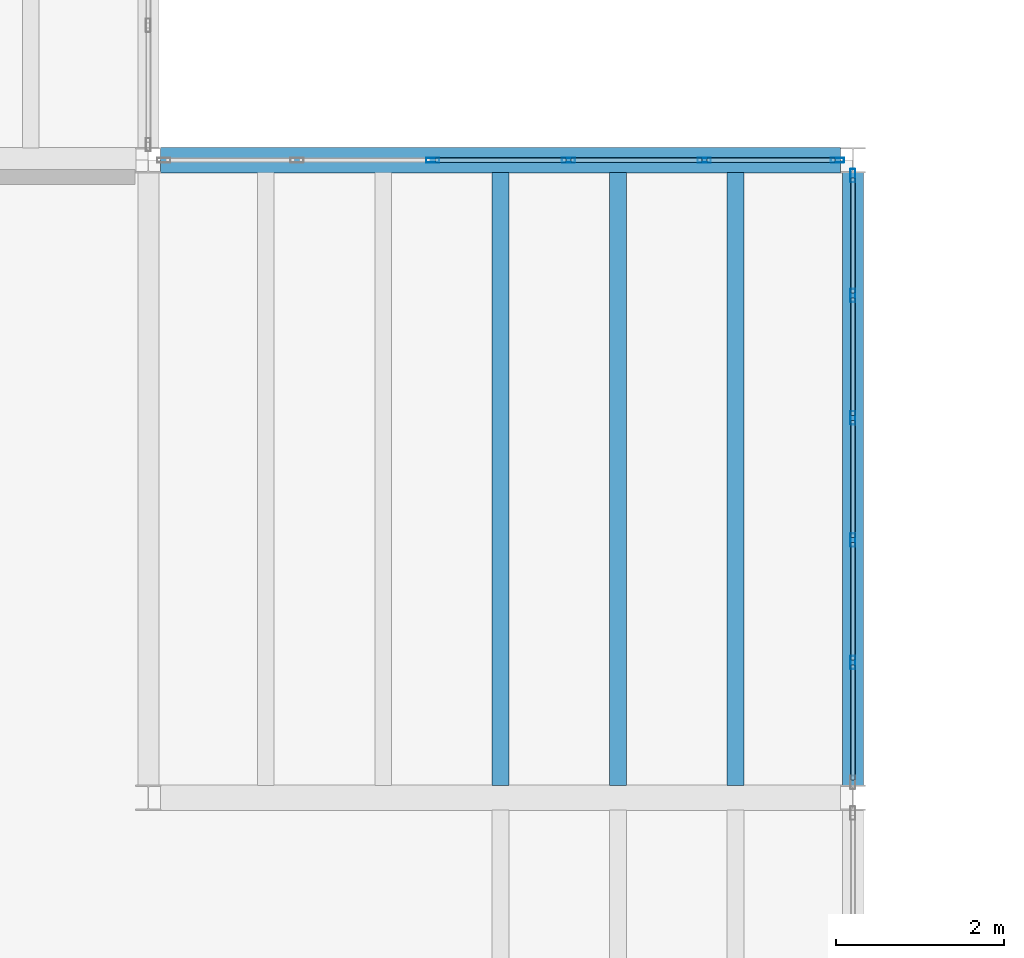
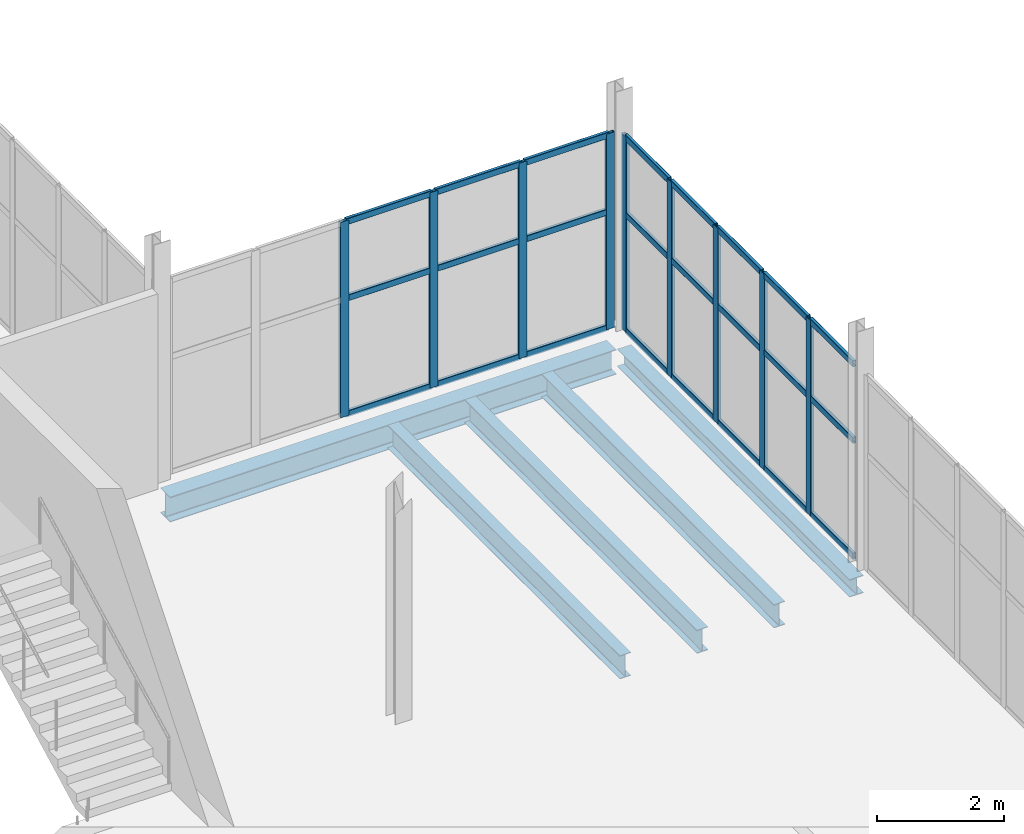
# One storey, part 29 of 172: 33 members, 5 beams, 2 elements without a shape of their own.
"""IFC4 building model written with IfcOpenShell, lengths in metres."""

from ifc_helpers import new_model, si_unit, direction, frame, origin, origin_2d, place, context, subcontext, project, spatial, hollow_rectangle, i_section, extrude, material, material_profile, profile_set, type_object, element, aggregate, save


model = new_model("IFC4")

# Units and contexts
model_context = context("Model", 3, precision=1e-05, world=origin(), true_north=direction((0.0, 1.0)))
body_context = subcontext(model_context, "Body", "Model", "MODEL_VIEW")
ifc_project = project(units=[si_unit("LENGTHUNIT", "METRE"), si_unit("AREAUNIT", "SQUARE_METRE"), si_unit("VOLUMEUNIT", "CUBIC_METRE"), si_unit("PLANEANGLEUNIT", "RADIAN"), si_unit("MASSUNIT", "GRAM", prefix="KILO")], contexts=[model_context])

# Site, building, storey
site_placement = place(None, origin())
site = spatial("IfcSite", under=ifc_project, at=site_placement, CompositionType="ELEMENT")
building_placement = place(site_placement, origin())
building = spatial("IfcBuilding", under=site, at=building_placement, Name="Shengluoqiao Park Theatre", CompositionType="ELEMENT")
storey_placement = place(building_placement, frame((0.0, 0.0, 5.39990234375)))
storey = spatial("IfcBuildingStorey", under=building, at=storey_placement, Name="L01", CompositionType="ELEMENT", Elevation=5.39990234375)

# Curtain wall, members
ifc_material_1 = material(Name="Aluminium 6063-T6", Category="aluminium")
curtain_wall_type = type_object("IfcCurtainWallType", Name="ENV-CW-COURT", PredefinedType="NOTDEFINED", material=ifc_material_1)
curtain_wall_1_placement = place(storey_placement, origin())
curtain_wall_1 = element("IfcCurtainWall", 1, at=curtain_wall_1_placement, inside=storey, type_object=curtain_wall_type, Name="L01 Curtain Wall CWX-L01-0157", PredefinedType="NOTDEFINED")
ifc_material_profile_1 = material_profile(ifc_material_1, hollow_rectangle(XDim=0.06005859375, YDim=0.159912109375, WallThickness=0.00390625, InnerFilletRadius=0.00390625, OuterFilletRadius=0.008056640625, at=origin_2d()), Name="ALU MULLION 160x60x4")
ifc_profile_set_1 = profile_set([ifc_material_profile_1], Name="Aluminium 6063-T6")
member_type_1 = type_object("IfcMemberType", Name="ENV-MUL-160", PredefinedType="MULLION", material=ifc_profile_set_1)
member_1_placement = place(storey_placement, frame((44.39990234375, 16.8125, 0.0), z_axis=(0.0, 0.0, 1.0), x_axis=(-1.0, 0.0, 0.0)))
member_1 = element("IfcMember", 2, at=member_1_placement, type_object=member_type_1, Name="CW-05 mullion 2", PredefinedType="MULLION", context=body_context, shape_type="SweptSolid", body=[
    extrude(hollow_rectangle(XDim=0.06005859375, YDim=0.159912109375, WallThickness=0.00390625, InnerFilletRadius=0.00390625, OuterFilletRadius=0.008056640625, at=origin_2d()), origin(), (0.0, 0.0, 1.0), 3.756103515625),
])
member_2_placement = place(storey_placement, frame((44.39990234375, 18.270751953125, 0.0), z_axis=(0.0, 0.0, 1.0), x_axis=(-1.0, 0.0, 0.0)))
member_2 = element("IfcMember", 3, at=member_2_placement, type_object=member_type_1, Name="CW-05 mullion 3", PredefinedType="MULLION", context=body_context, shape_type="SweptSolid", body=[
    extrude(hollow_rectangle(XDim=0.06005859375, YDim=0.159912109375, WallThickness=0.00390625, InnerFilletRadius=0.00390625, OuterFilletRadius=0.008056640625, at=origin_2d()), origin(), (0.0, 0.0, 1.0), 3.756103515625),
])
member_3_placement = place(storey_placement, frame((44.39990234375, 19.729248046875, 0.0), z_axis=(0.0, 0.0, 1.0), x_axis=(-1.0, 0.0, 0.0)))
member_3 = element("IfcMember", 4, at=member_3_placement, type_object=member_type_1, Name="CW-05 mullion 4", PredefinedType="MULLION", context=body_context, shape_type="SweptSolid", body=[
    extrude(hollow_rectangle(XDim=0.06005859375, YDim=0.159912109375, WallThickness=0.00390625, InnerFilletRadius=0.00390625, OuterFilletRadius=0.008056640625, at=origin_2d()), origin(), (0.0, 0.0, 1.0), 3.756103515625),
])
member_4_placement = place(storey_placement, frame((44.39990234375, 21.1875, 0.0), z_axis=(0.0, 0.0, 1.0), x_axis=(-1.0, 0.0, 0.0)))
member_4 = element("IfcMember", 5, at=member_4_placement, type_object=member_type_1, Name="CW-05 mullion 5", PredefinedType="MULLION", context=body_context, shape_type="SweptSolid", body=[
    extrude(hollow_rectangle(XDim=0.06005859375, YDim=0.159912109375, WallThickness=0.00390625, InnerFilletRadius=0.00390625, OuterFilletRadius=0.008056640625, at=origin_2d()), origin(), (0.0, 0.0, 1.0), 3.756103515625),
])
member_5_placement = place(storey_placement, frame((44.39990234375, 22.615966796875, 0.0), z_axis=(0.0, 0.0, 1.0), x_axis=(-1.0, 0.0, 0.0)))
member_5 = element("IfcMember", 6, at=member_5_placement, type_object=member_type_1, Name="CW-05 mullion 6", PredefinedType="MULLION", context=body_context, shape_type="SweptSolid", body=[
    extrude(hollow_rectangle(XDim=0.06005859375, YDim=0.159912109375, WallThickness=0.00390625, InnerFilletRadius=0.00390625, OuterFilletRadius=0.008056640625, at=origin_2d()), origin(), (0.0, 0.0, 1.0), 3.756103515625),
])

curtain_wall_2_placement = place(storey_placement, origin())
curtain_wall_2 = element("IfcCurtainWall", 7, at=curtain_wall_2_placement, inside=storey, type_object=curtain_wall_type, Name="L01 Curtain Wall CWX-L01-0158", PredefinedType="NOTDEFINED")
member_6_placement = place(storey_placement, frame((39.390869140625, 22.800048828125, 0.0), z_axis=(0.0, 0.0, 1.0), x_axis=(0.0, 1.0, 0.0)))
member_6 = element("IfcMember", 8, at=member_6_placement, type_object=member_type_1, Name="CW-05 mullion 3", PredefinedType="MULLION", context=body_context, shape_type="SweptSolid", body=[
    extrude(hollow_rectangle(XDim=0.06005859375, YDim=0.159912109375, WallThickness=0.00390625, InnerFilletRadius=0.00390625, OuterFilletRadius=0.008056640625, at=origin_2d()), origin(), (0.0, 0.0, 1.0), 3.756103515625),
])
member_7_placement = place(storey_placement, frame((41.00927734375, 22.800048828125, 0.0), z_axis=(0.0, 0.0, 1.0), x_axis=(0.0, 1.0, 0.0)))
member_7 = element("IfcMember", 9, at=member_7_placement, type_object=member_type_1, Name="CW-05 mullion 4", PredefinedType="MULLION", context=body_context, shape_type="SweptSolid", body=[
    extrude(hollow_rectangle(XDim=0.06005859375, YDim=0.159912109375, WallThickness=0.00390625, InnerFilletRadius=0.00390625, OuterFilletRadius=0.008056640625, at=origin_2d()), origin(), (0.0, 0.0, 1.0), 3.756103515625),
])
member_8_placement = place(storey_placement, frame((42.627685546875, 22.800048828125, 0.0), z_axis=(0.0, 0.0, 1.0), x_axis=(0.0, 1.0, 0.0)))
member_8 = element("IfcMember", 10, at=member_8_placement, type_object=member_type_1, Name="CW-05 mullion 5", PredefinedType="MULLION", context=body_context, shape_type="SweptSolid", body=[
    extrude(hollow_rectangle(XDim=0.06005859375, YDim=0.159912109375, WallThickness=0.00390625, InnerFilletRadius=0.00390625, OuterFilletRadius=0.008056640625, at=origin_2d()), origin(), (0.0, 0.0, 1.0), 3.756103515625),
])
member_9_placement = place(storey_placement, frame((44.216064453125, 22.800048828125, 0.0), z_axis=(0.0, 0.0, 1.0), x_axis=(0.0, 1.0, 0.0)))
member_9 = element("IfcMember", 11, at=member_9_placement, type_object=member_type_1, Name="CW-05 mullion 6", PredefinedType="MULLION", context=body_context, shape_type="SweptSolid", body=[
    extrude(hollow_rectangle(XDim=0.06005859375, YDim=0.159912109375, WallThickness=0.00390625, InnerFilletRadius=0.00390625, OuterFilletRadius=0.008056640625, at=origin_2d()), origin(), (0.0, 0.0, 1.0), 3.756103515625),
])

# Member
ifc_material_profile_2 = material_profile(ifc_material_1, hollow_rectangle(XDim=0.06005859375, YDim=0.1201171875, WallThickness=0.00390625, InnerFilletRadius=0.00390625, OuterFilletRadius=0.008056640625, at=origin_2d()), Name="ALU TRANSOM 120x60x4")
ifc_profile_set_2 = profile_set([ifc_material_profile_2], Name="Aluminium 6063-T6")
member_type_2 = type_object("IfcMemberType", Name="ENV-TRN-120", PredefinedType="USERDEFINED", material=ifc_profile_set_2)
member_10_placement = place(storey_placement, frame((44.39990234375, 15.4140625, 0.030029296875), z_axis=(0.0, 1.0, 0.0), x_axis=(-1.0, 0.0, 0.0)))
member_10 = element("IfcMember", 12, at=member_10_placement, type_object=member_type_2, Name="CW-05 transom 1.1", ObjectType="TRANSOM", PredefinedType="USERDEFINED", context=body_context, shape_type="SweptSolid", body=[
    extrude(hollow_rectangle(XDim=0.06005859375, YDim=0.1201171875, WallThickness=0.00390625, InnerFilletRadius=0.00390625, OuterFilletRadius=0.008056640625, at=origin_2d()), origin(), (0.0, 0.0, 1.0), 1.368408203125),
])

member_11_placement = place(storey_placement, frame((44.39990234375, 15.4140625, 2.254150390625), z_axis=(0.0, 1.0, 0.0), x_axis=(-1.0, 0.0, 0.0)))
member_11 = element("IfcMember", 13, at=member_11_placement, type_object=member_type_2, Name="CW-05 transom 1.2", ObjectType="TRANSOM", PredefinedType="USERDEFINED", context=body_context, shape_type="SweptSolid", body=[
    extrude(hollow_rectangle(XDim=0.06005859375, YDim=0.1201171875, WallThickness=0.00390625, InnerFilletRadius=0.00390625, OuterFilletRadius=0.008056640625, at=origin_2d()), origin(), (0.0, 0.0, 1.0), 1.368408203125),
])

member_12_placement = place(storey_placement, frame((44.39990234375, 15.4140625, 3.72607421875), z_axis=(0.0, 1.0, 0.0), x_axis=(-1.0, 0.0, 0.0)))
member_12 = element("IfcMember", 14, at=member_12_placement, type_object=member_type_2, Name="CW-05 transom 1.3", ObjectType="TRANSOM", PredefinedType="USERDEFINED", context=body_context, shape_type="SweptSolid", body=[
    extrude(hollow_rectangle(XDim=0.06005859375, YDim=0.1201171875, WallThickness=0.00390625, InnerFilletRadius=0.00390625, OuterFilletRadius=0.008056640625, at=origin_2d()), origin(), (0.0, 0.0, 1.0), 1.368408203125),
])

member_13_placement = place(storey_placement, frame((44.39990234375, 16.84228515625, 0.030029296875), z_axis=(0.0, 1.0, 0.0), x_axis=(-1.0, 0.0, 0.0)))
member_13 = element("IfcMember", 15, at=member_13_placement, type_object=member_type_2, Name="CW-05 transom 2.1", ObjectType="TRANSOM", PredefinedType="USERDEFINED", context=body_context, shape_type="SweptSolid", body=[
    extrude(hollow_rectangle(XDim=0.06005859375, YDim=0.1201171875, WallThickness=0.00390625, InnerFilletRadius=0.00390625, OuterFilletRadius=0.008056640625, at=origin_2d()), origin(), (0.0, 0.0, 1.0), 1.3984375),
])

member_14_placement = place(storey_placement, frame((44.39990234375, 16.84228515625, 2.254150390625), z_axis=(0.0, 1.0, 0.0), x_axis=(-1.0, 0.0, 0.0)))
member_14 = element("IfcMember", 16, at=member_14_placement, type_object=member_type_2, Name="CW-05 transom 2.2", ObjectType="TRANSOM", PredefinedType="USERDEFINED", context=body_context, shape_type="SweptSolid", body=[
    extrude(hollow_rectangle(XDim=0.06005859375, YDim=0.1201171875, WallThickness=0.00390625, InnerFilletRadius=0.00390625, OuterFilletRadius=0.008056640625, at=origin_2d()), origin(), (0.0, 0.0, 1.0), 1.3984375),
])

member_15_placement = place(storey_placement, frame((44.39990234375, 16.84228515625, 3.72607421875), z_axis=(0.0, 1.0, 0.0), x_axis=(-1.0, 0.0, 0.0)))
member_15 = element("IfcMember", 17, at=member_15_placement, type_object=member_type_2, Name="CW-05 transom 2.3", ObjectType="TRANSOM", PredefinedType="USERDEFINED", context=body_context, shape_type="SweptSolid", body=[
    extrude(hollow_rectangle(XDim=0.06005859375, YDim=0.1201171875, WallThickness=0.00390625, InnerFilletRadius=0.00390625, OuterFilletRadius=0.008056640625, at=origin_2d()), origin(), (0.0, 0.0, 1.0), 1.3984375),
])

member_16_placement = place(storey_placement, frame((44.39990234375, 18.30078125, 0.030029296875), z_axis=(0.0, 1.0, 0.0), x_axis=(-1.0, 0.0, 0.0)))
member_16 = element("IfcMember", 18, at=member_16_placement, type_object=member_type_2, Name="CW-05 transom 3.1", ObjectType="TRANSOM", PredefinedType="USERDEFINED", context=body_context, shape_type="SweptSolid", body=[
    extrude(hollow_rectangle(XDim=0.06005859375, YDim=0.1201171875, WallThickness=0.00390625, InnerFilletRadius=0.00390625, OuterFilletRadius=0.008056640625, at=origin_2d()), origin(), (0.0, 0.0, 1.0), 1.3984375),
])

member_17_placement = place(storey_placement, frame((44.39990234375, 18.30078125, 2.254150390625), z_axis=(0.0, 1.0, 0.0), x_axis=(-1.0, 0.0, 0.0)))
member_17 = element("IfcMember", 19, at=member_17_placement, type_object=member_type_2, Name="CW-05 transom 3.2", ObjectType="TRANSOM", PredefinedType="USERDEFINED", context=body_context, shape_type="SweptSolid", body=[
    extrude(hollow_rectangle(XDim=0.06005859375, YDim=0.1201171875, WallThickness=0.00390625, InnerFilletRadius=0.00390625, OuterFilletRadius=0.008056640625, at=origin_2d()), origin(), (0.0, 0.0, 1.0), 1.3984375),
])

member_18_placement = place(storey_placement, frame((44.39990234375, 18.30078125, 3.72607421875), z_axis=(0.0, 1.0, 0.0), x_axis=(-1.0, 0.0, 0.0)))
member_18 = element("IfcMember", 20, at=member_18_placement, type_object=member_type_2, Name="CW-05 transom 3.3", ObjectType="TRANSOM", PredefinedType="USERDEFINED", context=body_context, shape_type="SweptSolid", body=[
    extrude(hollow_rectangle(XDim=0.06005859375, YDim=0.1201171875, WallThickness=0.00390625, InnerFilletRadius=0.00390625, OuterFilletRadius=0.008056640625, at=origin_2d()), origin(), (0.0, 0.0, 1.0), 1.3984375),
])

member_19_placement = place(storey_placement, frame((44.39990234375, 19.75927734375, 0.030029296875), z_axis=(0.0, 1.0, 0.0), x_axis=(-1.0, 0.0, 0.0)))
member_19 = element("IfcMember", 21, at=member_19_placement, type_object=member_type_2, Name="CW-05 transom 4.1", ObjectType="TRANSOM", PredefinedType="USERDEFINED", context=body_context, shape_type="SweptSolid", body=[
    extrude(hollow_rectangle(XDim=0.06005859375, YDim=0.1201171875, WallThickness=0.00390625, InnerFilletRadius=0.00390625, OuterFilletRadius=0.008056640625, at=origin_2d()), origin(), (0.0, 0.0, 1.0), 1.3984375),
])

member_20_placement = place(storey_placement, frame((44.39990234375, 19.75927734375, 2.254150390625), z_axis=(0.0, 1.0, 0.0), x_axis=(-1.0, 0.0, 0.0)))
member_20 = element("IfcMember", 22, at=member_20_placement, type_object=member_type_2, Name="CW-05 transom 4.2", ObjectType="TRANSOM", PredefinedType="USERDEFINED", context=body_context, shape_type="SweptSolid", body=[
    extrude(hollow_rectangle(XDim=0.06005859375, YDim=0.1201171875, WallThickness=0.00390625, InnerFilletRadius=0.00390625, OuterFilletRadius=0.008056640625, at=origin_2d()), origin(), (0.0, 0.0, 1.0), 1.3984375),
])

member_21_placement = place(storey_placement, frame((44.39990234375, 19.75927734375, 3.72607421875), z_axis=(0.0, 1.0, 0.0), x_axis=(-1.0, 0.0, 0.0)))
member_21 = element("IfcMember", 23, at=member_21_placement, type_object=member_type_2, Name="CW-05 transom 4.3", ObjectType="TRANSOM", PredefinedType="USERDEFINED", context=body_context, shape_type="SweptSolid", body=[
    extrude(hollow_rectangle(XDim=0.06005859375, YDim=0.1201171875, WallThickness=0.00390625, InnerFilletRadius=0.00390625, OuterFilletRadius=0.008056640625, at=origin_2d()), origin(), (0.0, 0.0, 1.0), 1.3984375),
])

member_22_placement = place(storey_placement, frame((44.39990234375, 21.217529296875, 0.030029296875), z_axis=(0.0, 1.0, 0.0), x_axis=(-1.0, 0.0, 0.0)))
member_22 = element("IfcMember", 24, at=member_22_placement, type_object=member_type_2, Name="CW-05 transom 5.1", ObjectType="TRANSOM", PredefinedType="USERDEFINED", context=body_context, shape_type="SweptSolid", body=[
    extrude(hollow_rectangle(XDim=0.06005859375, YDim=0.1201171875, WallThickness=0.00390625, InnerFilletRadius=0.00390625, OuterFilletRadius=0.008056640625, at=origin_2d()), origin(), (0.0, 0.0, 1.0), 1.368408203125),
])

member_23_placement = place(storey_placement, frame((44.39990234375, 21.217529296875, 2.254150390625), z_axis=(0.0, 1.0, 0.0), x_axis=(-1.0, 0.0, 0.0)))
member_23 = element("IfcMember", 25, at=member_23_placement, type_object=member_type_2, Name="CW-05 transom 5.2", ObjectType="TRANSOM", PredefinedType="USERDEFINED", context=body_context, shape_type="SweptSolid", body=[
    extrude(hollow_rectangle(XDim=0.06005859375, YDim=0.1201171875, WallThickness=0.00390625, InnerFilletRadius=0.00390625, OuterFilletRadius=0.008056640625, at=origin_2d()), origin(), (0.0, 0.0, 1.0), 1.368408203125),
])

member_24_placement = place(storey_placement, frame((44.39990234375, 21.217529296875, 3.72607421875), z_axis=(0.0, 1.0, 0.0), x_axis=(-1.0, 0.0, 0.0)))
member_24 = element("IfcMember", 26, at=member_24_placement, type_object=member_type_2, Name="CW-05 transom 5.3", ObjectType="TRANSOM", PredefinedType="USERDEFINED", context=body_context, shape_type="SweptSolid", body=[
    extrude(hollow_rectangle(XDim=0.06005859375, YDim=0.1201171875, WallThickness=0.00390625, InnerFilletRadius=0.00390625, OuterFilletRadius=0.008056640625, at=origin_2d()), origin(), (0.0, 0.0, 1.0), 1.368408203125),
])

aggregate(curtain_wall_1, [member_1, member_2, member_3, member_4, member_5, member_10, member_11, member_12, member_13, member_14, member_15, member_16, member_17, member_18, member_19, member_20, member_21, member_22, member_23, member_24])

member_25_placement = place(storey_placement, frame((39.4208984375, 22.800048828125, 0.030029296875), z_axis=(1.0, 0.0, 0.0), x_axis=(0.0, 1.0, 0.0)))
member_25 = element("IfcMember", 27, at=member_25_placement, type_object=member_type_2, Name="CW-05 transom 3.1", ObjectType="TRANSOM", PredefinedType="USERDEFINED", context=body_context, shape_type="SweptSolid", body=[
    extrude(hollow_rectangle(XDim=0.06005859375, YDim=0.1201171875, WallThickness=0.00390625, InnerFilletRadius=0.00390625, OuterFilletRadius=0.008056640625, at=origin_2d()), origin(), (0.0, 0.0, 1.0), 1.558349609375),
])

member_26_placement = place(storey_placement, frame((39.4208984375, 22.800048828125, 2.254150390625), z_axis=(1.0, 0.0, 0.0), x_axis=(0.0, 1.0, 0.0)))
member_26 = element("IfcMember", 28, at=member_26_placement, type_object=member_type_2, Name="CW-05 transom 3.2", ObjectType="TRANSOM", PredefinedType="USERDEFINED", context=body_context, shape_type="SweptSolid", body=[
    extrude(hollow_rectangle(XDim=0.06005859375, YDim=0.1201171875, WallThickness=0.00390625, InnerFilletRadius=0.00390625, OuterFilletRadius=0.008056640625, at=origin_2d()), origin(), (0.0, 0.0, 1.0), 1.558349609375),
])

member_27_placement = place(storey_placement, frame((39.4208984375, 22.800048828125, 3.72607421875), z_axis=(1.0, 0.0, 0.0), x_axis=(0.0, 1.0, 0.0)))
member_27 = element("IfcMember", 29, at=member_27_placement, type_object=member_type_2, Name="CW-05 transom 3.3", ObjectType="TRANSOM", PredefinedType="USERDEFINED", context=body_context, shape_type="SweptSolid", body=[
    extrude(hollow_rectangle(XDim=0.06005859375, YDim=0.1201171875, WallThickness=0.00390625, InnerFilletRadius=0.00390625, OuterFilletRadius=0.008056640625, at=origin_2d()), origin(), (0.0, 0.0, 1.0), 1.558349609375),
])

member_28_placement = place(storey_placement, frame((41.039306640625, 22.800048828125, 0.030029296875), z_axis=(1.0, 0.0, 0.0), x_axis=(0.0, 1.0, 0.0)))
member_28 = element("IfcMember", 30, at=member_28_placement, type_object=member_type_2, Name="CW-05 transom 4.1", ObjectType="TRANSOM", PredefinedType="USERDEFINED", context=body_context, shape_type="SweptSolid", body=[
    extrude(hollow_rectangle(XDim=0.06005859375, YDim=0.1201171875, WallThickness=0.00390625, InnerFilletRadius=0.00390625, OuterFilletRadius=0.008056640625, at=origin_2d()), origin(), (0.0, 0.0, 1.0), 1.558349609375),
])

member_29_placement = place(storey_placement, frame((41.039306640625, 22.800048828125, 2.254150390625), z_axis=(1.0, 0.0, 0.0), x_axis=(0.0, 1.0, 0.0)))
member_29 = element("IfcMember", 31, at=member_29_placement, type_object=member_type_2, Name="CW-05 transom 4.2", ObjectType="TRANSOM", PredefinedType="USERDEFINED", context=body_context, shape_type="SweptSolid", body=[
    extrude(hollow_rectangle(XDim=0.06005859375, YDim=0.1201171875, WallThickness=0.00390625, InnerFilletRadius=0.00390625, OuterFilletRadius=0.008056640625, at=origin_2d()), origin(), (0.0, 0.0, 1.0), 1.558349609375),
])

member_30_placement = place(storey_placement, frame((41.039306640625, 22.800048828125, 3.72607421875), z_axis=(1.0, 0.0, 0.0), x_axis=(0.0, 1.0, 0.0)))
member_30 = element("IfcMember", 32, at=member_30_placement, type_object=member_type_2, Name="CW-05 transom 4.3", ObjectType="TRANSOM", PredefinedType="USERDEFINED", context=body_context, shape_type="SweptSolid", body=[
    extrude(hollow_rectangle(XDim=0.06005859375, YDim=0.1201171875, WallThickness=0.00390625, InnerFilletRadius=0.00390625, OuterFilletRadius=0.008056640625, at=origin_2d()), origin(), (0.0, 0.0, 1.0), 1.558349609375),
])

member_31_placement = place(storey_placement, frame((42.65771484375, 22.800048828125, 0.030029296875), z_axis=(1.0, 0.0, 0.0), x_axis=(0.0, 1.0, 0.0)))
member_31 = element("IfcMember", 33, at=member_31_placement, type_object=member_type_2, Name="CW-05 transom 5.1", ObjectType="TRANSOM", PredefinedType="USERDEFINED", context=body_context, shape_type="SweptSolid", body=[
    extrude(hollow_rectangle(XDim=0.06005859375, YDim=0.1201171875, WallThickness=0.00390625, InnerFilletRadius=0.00390625, OuterFilletRadius=0.008056640625, at=origin_2d()), origin(), (0.0, 0.0, 1.0), 1.5283203125),
])

member_32_placement = place(storey_placement, frame((42.65771484375, 22.800048828125, 2.254150390625), z_axis=(1.0, 0.0, 0.0), x_axis=(0.0, 1.0, 0.0)))
member_32 = element("IfcMember", 34, at=member_32_placement, type_object=member_type_2, Name="CW-05 transom 5.2", ObjectType="TRANSOM", PredefinedType="USERDEFINED", context=body_context, shape_type="SweptSolid", body=[
    extrude(hollow_rectangle(XDim=0.06005859375, YDim=0.1201171875, WallThickness=0.00390625, InnerFilletRadius=0.00390625, OuterFilletRadius=0.008056640625, at=origin_2d()), origin(), (0.0, 0.0, 1.0), 1.5283203125),
])

member_33_placement = place(storey_placement, frame((42.65771484375, 22.800048828125, 3.72607421875), z_axis=(1.0, 0.0, 0.0), x_axis=(0.0, 1.0, 0.0)))
member_33 = element("IfcMember", 35, at=member_33_placement, type_object=member_type_2, Name="CW-05 transom 5.3", ObjectType="TRANSOM", PredefinedType="USERDEFINED", context=body_context, shape_type="SweptSolid", body=[
    extrude(hollow_rectangle(XDim=0.06005859375, YDim=0.1201171875, WallThickness=0.00390625, InnerFilletRadius=0.00390625, OuterFilletRadius=0.008056640625, at=origin_2d()), origin(), (0.0, 0.0, 1.0), 1.5283203125),
])

aggregate(curtain_wall_2, [member_6, member_7, member_8, member_9, member_25, member_26, member_27, member_28, member_29, member_30, member_31, member_32, member_33])

# Beams
ifc_material_2 = material(Name="Steel Q355", Category="steel")
ifc_material_profile_3 = material_profile(ifc_material_2, i_section(OverallWidth=0.25, OverallDepth=0.340087890625, WebThickness=0.009033203125, FlangeThickness=0.013916015625, FilletRadius=0.01611328125, at=origin_2d()), Name="HM 340x250x9x14")
ifc_profile_set_3 = profile_set([ifc_material_profile_3], Name="Steel Q355")
beam_type_1 = type_object("IfcBeamType", Name="STR-BM-G-HM340", PredefinedType="BEAM", material=ifc_profile_set_3)
beam_1_placement = place(storey_placement, frame((44.39990234375, 15.343994140625, -0.510009765625), z_axis=(0.0, 1.0, 0.0), x_axis=(-1.0, 0.0, 0.0)))
element("IfcBeam", 36, at=beam_1_placement, inside=storey, type_object=beam_type_1, Name="L01 Transverse Girder 00435", PredefinedType="BEAM", context=body_context, shape_type="SweptSolid", body=[
    extrude(i_section(OverallWidth=0.25, OverallDepth=0.340087890625, WebThickness=0.009033203125, FlangeThickness=0.013916015625, FilletRadius=0.01611328125, at=origin_2d()), origin(), (0.0, 0.0, 1.0), 7.31201171875),
])
ifc_material_profile_4 = material_profile(ifc_material_2, i_section(OverallWidth=0.300048828125, OverallDepth=0.48193359375, WebThickness=0.010986328125, FlangeThickness=0.014892578125, FilletRadius=0.02197265625, at=origin_2d()), Name="HM 482x300x11x15")
ifc_profile_set_4 = profile_set([ifc_material_profile_4], Name="Steel Q355")
beam_type_2 = type_object("IfcBeamType", Name="STR-BM-G-HM482", PredefinedType="BEAM", material=ifc_profile_set_4)
beam_2_placement = place(storey_placement, frame((36.146484375, 22.800048828125, -0.580810546875), z_axis=(1.0, 0.0, 0.0), x_axis=(0.0, 1.0, 0.0)))
element("IfcBeam", 37, at=beam_2_placement, inside=storey, type_object=beam_type_2, Name="L01 Primary Girder 00431", PredefinedType="BEAM", context=body_context, shape_type="SweptSolid", body=[
    extrude(i_section(OverallWidth=0.300048828125, OverallDepth=0.48193359375, WebThickness=0.010986328125, FlangeThickness=0.014892578125, FilletRadius=0.02197265625, at=origin_2d()), origin(), (0.0, 0.0, 1.0), 8.10693359375),
])
ifc_material_profile_5 = material_profile(ifc_material_2, i_section(OverallWidth=0.199951171875, OverallDepth=0.449951171875, WebThickness=0.009033203125, FlangeThickness=0.013916015625, FilletRadius=0.01611328125, at=origin_2d()), Name="HN 450x200x9x14")
ifc_profile_set_5 = profile_set([ifc_material_profile_5], Name="Steel Q355")
beam_type_3 = type_object("IfcBeamType", Name="STR-BM-J-HN450", PredefinedType="JOIST", material=ifc_profile_set_5)
for number, where, z_axis, x_axis, name in (
    (38, (40.199951171875, 15.344970703125, -0.56494140625), (0.0, 1.0, 0.0), (-1.0, 0.0, 0.0), "L01 Composite Joist 00441"),
    (39, (41.60009765625, 15.344970703125, -0.56494140625), (0.0, 1.0, 0.0), (-1.0, 0.0, 0.0), "L01 Composite Joist 00442"),
    (40, (43.0, 15.344970703125, -0.56494140625), (0.0, 1.0, 0.0), (-1.0, 0.0, 0.0), "L01 Composite Joist 00443"),
):
    element("IfcBeam", number, at=place(storey_placement, frame(where, z_axis=z_axis, x_axis=x_axis)), inside=storey, type_object=beam_type_3, Name=name, PredefinedType="JOIST", context=body_context, shape_type="SweptSolid", body=[
        extrude(i_section(OverallWidth=0.199951171875, OverallDepth=0.449951171875, WebThickness=0.009033203125, FlangeThickness=0.013916015625, FilletRadius=0.01611328125, at=origin_2d()), origin(), (0.0, 0.0, 1.0), 7.31005859375),
    ])

save(model, "model.ifc")
